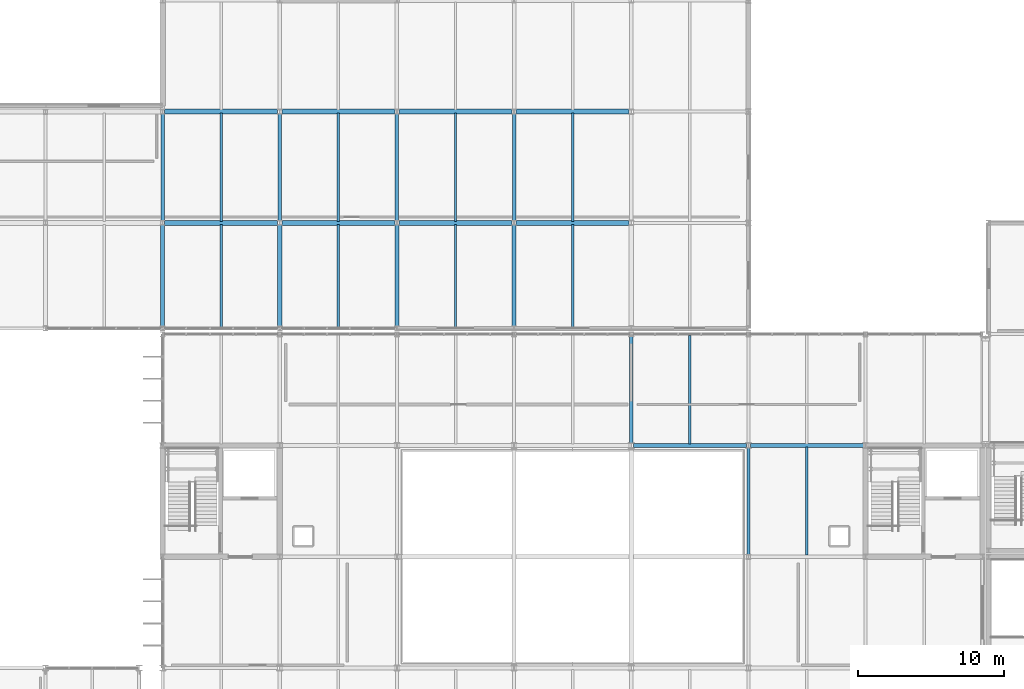
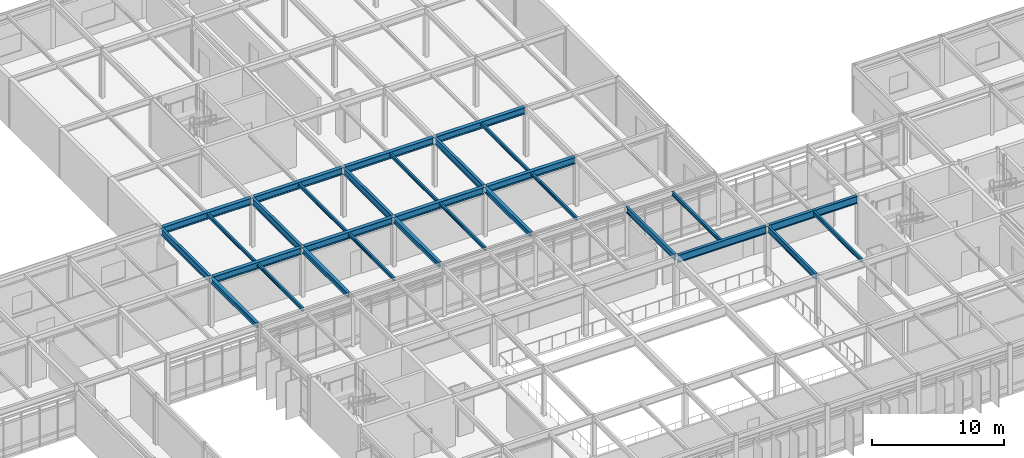
# One storey, part 51 of 104: 30 beams.
"""IFC4 building model written with IfcOpenShell, lengths in metres."""

from ifc_helpers import new_model, si_unit, direction, frame, origin, origin_2d, place, context, subcontext, project, spatial, i_section, extrude, material, material_profile, profile_set, type_object, element, save


model = new_model("IFC4")

# Units and contexts
model_context = context("Model", 3, precision=1e-05, world=origin(), true_north=direction((0.0, 1.0)))
body_context = subcontext(model_context, "Body", "Model", "MODEL_VIEW")
ifc_project = project(units=[si_unit("LENGTHUNIT", "METRE"), si_unit("AREAUNIT", "SQUARE_METRE"), si_unit("VOLUMEUNIT", "CUBIC_METRE"), si_unit("PLANEANGLEUNIT", "RADIAN"), si_unit("MASSUNIT", "GRAM", prefix="KILO")], contexts=[model_context])

# Site, building, storey
site_placement = place(None, origin())
site = spatial("IfcSite", under=ifc_project, at=site_placement, CompositionType="ELEMENT")
building_placement = place(site_placement, origin())
building = spatial("IfcBuilding", under=site, at=building_placement, Name="Zulena Civic Courthouse", CompositionType="ELEMENT")
storey_placement = place(building_placement, frame((0.0, 0.0, 15.60009765625)))
storey = spatial("IfcBuildingStorey", under=building, at=storey_placement, Name="L03", CompositionType="ELEMENT", Elevation=15.60009765625)

# Beams
ifc_material = material(Name="Steel ASTM A992 Grade 50", Category="steel")
ifc_material_profile_1 = material_profile(ifc_material, i_section(OverallWidth=0.2099609375, OverallDepth=0.537109375, WebThickness=0.010986328125, FlangeThickness=0.017333984375, FilletRadius=0.0126953125, at=origin_2d()), Name="W21X68")
ifc_profile_set_1 = profile_set([ifc_material_profile_1], Name="Steel ASTM A992 Grade 50")
beam_type_1 = type_object("IfcBeamType", Name="Girder_W21X68", PredefinedType="BEAM", material=ifc_profile_set_1)
beam_1_placement = place(storey_placement, frame((108.0, 30.544921875, 4.3212890625), z_axis=(0.0, 1.0, 0.0), x_axis=(-1.0, 0.0, 0.0)))
element("IfcBeam", 1, at=beam_1_placement, inside=storey, type_object=beam_type_1, Name="beam:Y:V4:L03:108.0:30.4_38.0", PredefinedType="BEAM", context=body_context, shape_type="SweptSolid", body=[
    extrude(i_section(OverallWidth=0.2099609375, OverallDepth=0.537109375, WebThickness=0.010986328125, FlangeThickness=0.017333984375, FilletRadius=0.0126953125, at=origin_2d()), origin(), (0.0, 0.0, 1.0), 7.31005859375),
])
ifc_material_profile_2 = material_profile(ifc_material, i_section(OverallWidth=0.324951171875, OverallDepth=0.615966796875, WebThickness=0.013916015625, FlangeThickness=0.021484375, FilletRadius=0.0126953125, at=origin_2d()), Name="W24X117")
ifc_profile_set_2 = profile_set([ifc_material_profile_2], Name="Steel ASTM A992 Grade 50")
beam_type_2 = type_object("IfcBeamType", Name="Girder_W24X117", PredefinedType="BEAM", material=ifc_profile_set_2)
for number, where, z_axis, x_axis, name in (
    (2, (68.14501953125, 53.199951171875, 4.281982421875), (1.0, 0.0, 0.0), (0.0, 1.0, 0.0), "beam:X:V5:L03:53.2:68.0_76.0"),
    (3, (76.14501953125, 53.199951171875, 4.281982421875), (1.0, 0.0, 0.0), (0.0, 1.0, 0.0), "beam:X:V5:L03:53.2:76.0_84.0"),
    (4, (84.14501953125, 53.199951171875, 4.281982421875), (1.0, 0.0, 0.0), (0.0, 1.0, 0.0), "beam:X:V5:L03:53.2:84.0_92.0"),
    (5, (92.14501953125, 53.199951171875, 4.281982421875), (1.0, 0.0, 0.0), (0.0, 1.0, 0.0), "beam:X:V5:L03:53.2:92.0_100.0"),
    (6, (68.14501953125, 60.800048828125, 4.281982421875), (1.0, 0.0, 0.0), (0.0, 1.0, 0.0), "beam:X:V5:L03:60.8:68.0_76.0"),
    (7, (76.14501953125, 60.800048828125, 4.281982421875), (1.0, 0.0, 0.0), (0.0, 1.0, 0.0), "beam:X:V5:L03:60.8:76.0_84.0"),
    (8, (84.14501953125, 60.800048828125, 4.281982421875), (1.0, 0.0, 0.0), (0.0, 1.0, 0.0), "beam:X:V5:L03:60.8:84.0_92.0"),
    (9, (92.14501953125, 60.800048828125, 4.281982421875), (1.0, 0.0, 0.0), (0.0, 1.0, 0.0), "beam:X:V5:L03:60.8:92.0_100.0"),
):
    element("IfcBeam", number, at=place(storey_placement, frame(where, z_axis=z_axis, x_axis=x_axis)), inside=storey, type_object=beam_type_2, Name=name, PredefinedType="BEAM", context=body_context, shape_type="SweptSolid", body=[
        extrude(i_section(OverallWidth=0.324951171875, OverallDepth=0.615966796875, WebThickness=0.013916015625, FlangeThickness=0.021484375, FilletRadius=0.0126953125, at=origin_2d()), origin(), (0.0, 0.0, 1.0), 7.7099609375),
    ])
ifc_material_profile_3 = material_profile(ifc_material, i_section(OverallWidth=0.22998046875, OverallDepth=0.616943359375, WebThickness=0.01318359375, FlangeThickness=0.022216796875, FilletRadius=0.0126953125, at=origin_2d()), Name="W24X94")
ifc_profile_set_3 = profile_set([ifc_material_profile_3], Name="Steel ASTM A992 Grade 50")
beam_type_3 = type_object("IfcBeamType", Name="Girder_W24X94", PredefinedType="BEAM", material=ifc_profile_set_3)
for number, where, z_axis, x_axis, name in (
    (10, (68.0, 53.344970703125, 4.281494140625), (0.0, 1.0, 0.0), (-1.0, 0.0, 0.0), "beam:Y:V5:L03:68.0:53.2_60.8"),
    (11, (76.0, 53.344970703125, 4.281494140625), (0.0, 1.0, 0.0), (-1.0, 0.0, 0.0), "beam:Y:V5:L03:76.0:53.2_60.8"),
    (12, (84.0, 53.344970703125, 4.281494140625), (0.0, 1.0, 0.0), (-1.0, 0.0, 0.0), "beam:Y:V5:L03:84.0:53.2_60.8"),
    (13, (92.0, 53.344970703125, 4.281494140625), (0.0, 1.0, 0.0), (-1.0, 0.0, 0.0), "beam:Y:V5:L03:92.0:53.2_60.8"),
):
    element("IfcBeam", number, at=place(storey_placement, frame(where, z_axis=z_axis, x_axis=x_axis)), inside=storey, type_object=beam_type_3, Name=name, PredefinedType="BEAM", context=body_context, shape_type="SweptSolid", body=[
        extrude(i_section(OverallWidth=0.22998046875, OverallDepth=0.616943359375, WebThickness=0.01318359375, FlangeThickness=0.022216796875, FilletRadius=0.0126953125, at=origin_2d()), origin(), (0.0, 0.0, 1.0), 7.31005859375),
    ])
ifc_material_profile_4 = material_profile(ifc_material, i_section(OverallWidth=0.25390625, OverallDepth=0.68798828125, WebThickness=0.01318359375, FlangeThickness=0.02099609375, FilletRadius=0.0166015625, at=origin_2d()), Name="W27X102")
ifc_profile_set_4 = profile_set([ifc_material_profile_4], Name="Steel ASTM A992 Grade 50")
beam_type_4 = type_object("IfcBeamType", Name="Girder_W27X102", PredefinedType="BEAM", material=ifc_profile_set_4)
for number, where, z_axis, x_axis, name in (
    (14, (100.14501953125, 38.0, 4.245849609375), (1.0, 0.0, 0.0), (0.0, 1.0, 0.0), "beam:X:V4:L03:38.0:100.0_108.0"),
    (15, (108.14501953125, 38.0, 4.245849609375), (1.0, 0.0, 0.0), (0.0, 1.0, 0.0), "beam:X:V4:L03:38.0:108.0_116.0"),
):
    element("IfcBeam", number, at=place(storey_placement, frame(where, z_axis=z_axis, x_axis=x_axis)), inside=storey, type_object=beam_type_4, Name=name, PredefinedType="BEAM", context=body_context, shape_type="SweptSolid", body=[
        extrude(i_section(OverallWidth=0.25390625, OverallDepth=0.68798828125, WebThickness=0.01318359375, FlangeThickness=0.02099609375, FilletRadius=0.0166015625, at=origin_2d()), origin(), (0.0, 0.0, 1.0), 7.7099609375),
    ])
ifc_material_profile_5 = material_profile(ifc_material, i_section(OverallWidth=0.1650390625, OverallDepth=0.31005859375, WebThickness=0.005859375, FlangeThickness=0.009765625, FilletRadius=0.009765625, at=origin_2d()), Name="W12X26")
ifc_profile_set_5 = profile_set([ifc_material_profile_5], Name="Steel ASTM A992 Grade 50")
beam_type_5 = type_object("IfcBeamType", Name="Joist_W12X26", PredefinedType="JOIST", material=ifc_profile_set_5)
beam_2_placement = place(storey_placement, frame((72.0, 46.10498046875, 4.434814453125), z_axis=(0.0, 1.0, 0.0), x_axis=(-1.0, 0.0, 0.0)))
element("IfcBeam", 16, at=beam_2_placement, inside=storey, type_object=beam_type_5, Name="joist:V5:L03:72.00:46.0_53.2", PredefinedType="JOIST", context=body_context, shape_type="SweptSolid", body=[
    extrude(i_section(OverallWidth=0.1650390625, OverallDepth=0.31005859375, WebThickness=0.005859375, FlangeThickness=0.009765625, FilletRadius=0.009765625, at=origin_2d()), origin(), (0.0, 0.0, 1.0), 6.989990234375),
])
beam_3_placement = place(storey_placement, frame((72.0, 53.304931640625, 4.434814453125), z_axis=(0.0, 1.0, 0.0), x_axis=(-1.0, 0.0, 0.0)))
element("IfcBeam", 17, at=beam_3_placement, inside=storey, type_object=beam_type_5, Name="joist:V5:L03:72.00:53.2_60.8", PredefinedType="JOIST", context=body_context, shape_type="SweptSolid", body=[
    extrude(i_section(OverallWidth=0.1650390625, OverallDepth=0.31005859375, WebThickness=0.005859375, FlangeThickness=0.009765625, FilletRadius=0.009765625, at=origin_2d()), origin(), (0.0, 0.0, 1.0), 7.39013671875),
])
beam_4_placement = place(storey_placement, frame((80.0, 46.10498046875, 4.434814453125), z_axis=(0.0, 1.0, 0.0), x_axis=(-1.0, 0.0, 0.0)))
element("IfcBeam", 18, at=beam_4_placement, inside=storey, type_object=beam_type_5, Name="joist:V5:L03:80.00:46.0_53.2", PredefinedType="JOIST", context=body_context, shape_type="SweptSolid", body=[
    extrude(i_section(OverallWidth=0.1650390625, OverallDepth=0.31005859375, WebThickness=0.005859375, FlangeThickness=0.009765625, FilletRadius=0.009765625, at=origin_2d()), origin(), (0.0, 0.0, 1.0), 6.989990234375),
])
beam_5_placement = place(storey_placement, frame((80.0, 53.304931640625, 4.434814453125), z_axis=(0.0, 1.0, 0.0), x_axis=(-1.0, 0.0, 0.0)))
element("IfcBeam", 19, at=beam_5_placement, inside=storey, type_object=beam_type_5, Name="joist:V5:L03:80.00:53.2_60.8", PredefinedType="JOIST", context=body_context, shape_type="SweptSolid", body=[
    extrude(i_section(OverallWidth=0.1650390625, OverallDepth=0.31005859375, WebThickness=0.005859375, FlangeThickness=0.009765625, FilletRadius=0.009765625, at=origin_2d()), origin(), (0.0, 0.0, 1.0), 7.39013671875),
])
beam_6_placement = place(storey_placement, frame((88.0, 46.10498046875, 4.434814453125), z_axis=(0.0, 1.0, 0.0), x_axis=(-1.0, 0.0, 0.0)))
element("IfcBeam", 20, at=beam_6_placement, inside=storey, type_object=beam_type_5, Name="joist:V5:L03:88.00:46.0_53.2", PredefinedType="JOIST", context=body_context, shape_type="SweptSolid", body=[
    extrude(i_section(OverallWidth=0.1650390625, OverallDepth=0.31005859375, WebThickness=0.005859375, FlangeThickness=0.009765625, FilletRadius=0.009765625, at=origin_2d()), origin(), (0.0, 0.0, 1.0), 6.989990234375),
])
beam_7_placement = place(storey_placement, frame((88.0, 53.304931640625, 4.434814453125), z_axis=(0.0, 1.0, 0.0), x_axis=(-1.0, 0.0, 0.0)))
element("IfcBeam", 21, at=beam_7_placement, inside=storey, type_object=beam_type_5, Name="joist:V5:L03:88.00:53.2_60.8", PredefinedType="JOIST", context=body_context, shape_type="SweptSolid", body=[
    extrude(i_section(OverallWidth=0.1650390625, OverallDepth=0.31005859375, WebThickness=0.005859375, FlangeThickness=0.009765625, FilletRadius=0.009765625, at=origin_2d()), origin(), (0.0, 0.0, 1.0), 7.39013671875),
])
beam_8_placement = place(storey_placement, frame((96.0, 46.10498046875, 4.434814453125), z_axis=(0.0, 1.0, 0.0), x_axis=(-1.0, 0.0, 0.0)))
element("IfcBeam", 22, at=beam_8_placement, inside=storey, type_object=beam_type_5, Name="joist:V5:L03:96.00:46.0_53.2", PredefinedType="JOIST", context=body_context, shape_type="SweptSolid", body=[
    extrude(i_section(OverallWidth=0.1650390625, OverallDepth=0.31005859375, WebThickness=0.005859375, FlangeThickness=0.009765625, FilletRadius=0.009765625, at=origin_2d()), origin(), (0.0, 0.0, 1.0), 6.989990234375),
])
beam_9_placement = place(storey_placement, frame((96.0, 53.304931640625, 4.434814453125), z_axis=(0.0, 1.0, 0.0), x_axis=(-1.0, 0.0, 0.0)))
element("IfcBeam", 23, at=beam_9_placement, inside=storey, type_object=beam_type_5, Name="joist:V5:L03:96.00:53.2_60.8", PredefinedType="JOIST", context=body_context, shape_type="SweptSolid", body=[
    extrude(i_section(OverallWidth=0.1650390625, OverallDepth=0.31005859375, WebThickness=0.005859375, FlangeThickness=0.009765625, FilletRadius=0.009765625, at=origin_2d()), origin(), (0.0, 0.0, 1.0), 7.39013671875),
])
ifc_material_profile_6 = material_profile(ifc_material, i_section(OverallWidth=0.1708984375, OverallDepth=0.35205078125, WebThickness=0.0068359375, FlangeThickness=0.009765625, FilletRadius=0.01025390625, at=origin_2d()), Name="W14X30")
ifc_profile_set_6 = profile_set([ifc_material_profile_6], Name="Steel ASTM A992 Grade 50")
beam_type_6 = type_object("IfcBeamType", Name="Joist_W14X30", PredefinedType="JOIST", material=ifc_profile_set_6)
for number, where, z_axis, x_axis, name in (
    (24, (104.0, 38.10498046875, 4.413818359375), (0.0, 1.0, 0.0), (-1.0, 0.0, 0.0), "joist:V4:L03:104.00:38.0_45.6"),
    (25, (112.0, 30.5048828125, 4.413818359375), (0.0, 1.0, 0.0), (-1.0, 0.0, 0.0), "joist:V4:L03:112.00:30.4_38.0"),
):
    element("IfcBeam", number, at=place(storey_placement, frame(where, z_axis=z_axis, x_axis=x_axis)), inside=storey, type_object=beam_type_6, Name=name, PredefinedType="JOIST", context=body_context, shape_type="SweptSolid", body=[
        extrude(i_section(OverallWidth=0.1708984375, OverallDepth=0.35205078125, WebThickness=0.0068359375, FlangeThickness=0.009765625, FilletRadius=0.01025390625, at=origin_2d()), origin(), (0.0, 0.0, 1.0), 7.39013671875),
    ])
ifc_material_profile_7 = material_profile(ifc_material, i_section(OverallWidth=0.280029296875, OverallDepth=0.462890625, WebThickness=0.0107421875, FlangeThickness=0.017333984375, FilletRadius=0.01025390625, at=origin_2d()), Name="W18X76")
ifc_profile_set_7 = profile_set([ifc_material_profile_7], Name="Steel ASTM A992 Grade 50")
beam_type_7 = type_object("IfcBeamType", Name="Spandrel_W18X76", PredefinedType="SPANDREL", material=ifc_profile_set_7)
for number, where, z_axis, x_axis, name in (
    (26, (68.0, 46.14501953125, 4.3583984375), (0.0, 1.0, 0.0), (-1.0, 0.0, 0.0), "beam:Y:V5:L03:68.0:46.0_53.2"),
    (27, (76.0, 46.14501953125, 4.3583984375), (0.0, 1.0, 0.0), (-1.0, 0.0, 0.0), "beam:Y:V5:L03:76.0:46.0_53.2"),
    (28, (84.0, 46.14501953125, 4.3583984375), (0.0, 1.0, 0.0), (-1.0, 0.0, 0.0), "beam:Y:V5:L03:84.0:46.0_53.2"),
    (29, (92.0, 46.14501953125, 4.3583984375), (0.0, 1.0, 0.0), (-1.0, 0.0, 0.0), "beam:Y:V5:L03:92.0:46.0_53.2"),
):
    element("IfcBeam", number, at=place(storey_placement, frame(where, z_axis=z_axis, x_axis=x_axis)), inside=storey, type_object=beam_type_7, Name=name, PredefinedType="SPANDREL", context=body_context, shape_type="SweptSolid", body=[
        extrude(i_section(OverallWidth=0.280029296875, OverallDepth=0.462890625, WebThickness=0.0107421875, FlangeThickness=0.017333984375, FilletRadius=0.01025390625, at=origin_2d()), origin(), (0.0, 0.0, 1.0), 6.909912109375),
    ])
ifc_material_profile_8 = material_profile(ifc_material, i_section(OverallWidth=0.2099609375, OverallDepth=0.537109375, WebThickness=0.010986328125, FlangeThickness=0.017333984375, FilletRadius=0.0126953125, at=origin_2d()), Name="W21X68")
ifc_profile_set_8 = profile_set([ifc_material_profile_8], Name="Steel ASTM A992 Grade 50")
beam_type_8 = type_object("IfcBeamType", Name="Spandrel_W21X68", PredefinedType="SPANDREL", material=ifc_profile_set_8)
beam_10_placement = place(storey_placement, frame((100.0, 38.14501953125, 4.3212890625), z_axis=(0.0, 1.0, 0.0), x_axis=(-1.0, 0.0, 0.0)))
element("IfcBeam", 30, at=beam_10_placement, inside=storey, type_object=beam_type_8, Name="beam:Y:V4:L03:100.0:38.0_45.6", PredefinedType="SPANDREL", context=body_context, shape_type="SweptSolid", body=[
    extrude(i_section(OverallWidth=0.2099609375, OverallDepth=0.537109375, WebThickness=0.010986328125, FlangeThickness=0.017333984375, FilletRadius=0.0126953125, at=origin_2d()), origin(), (0.0, 0.0, 1.0), 7.31005859375),
])

save(model, "model.ifc")
